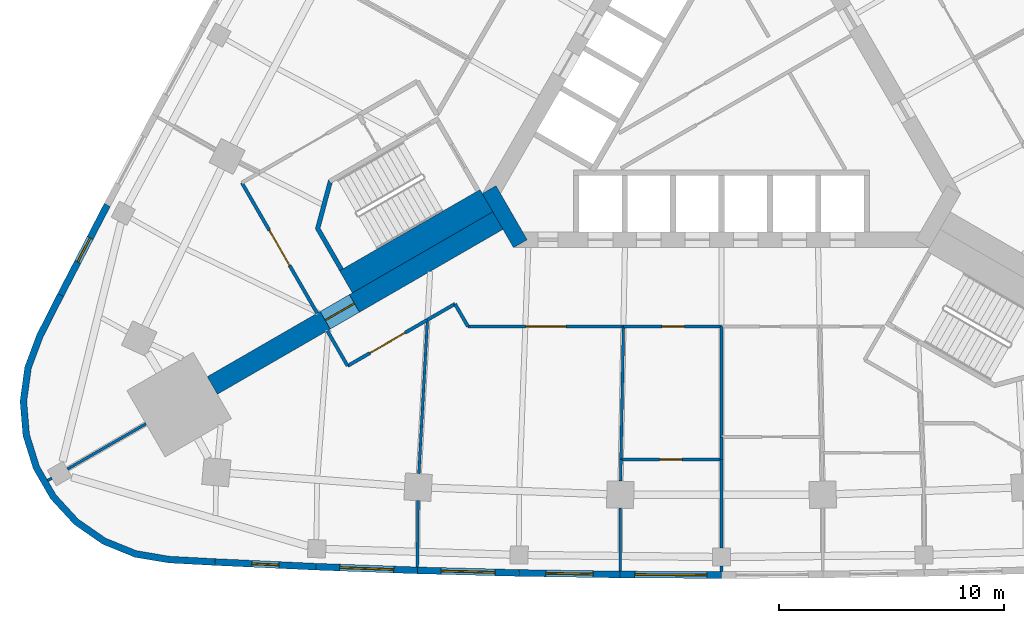
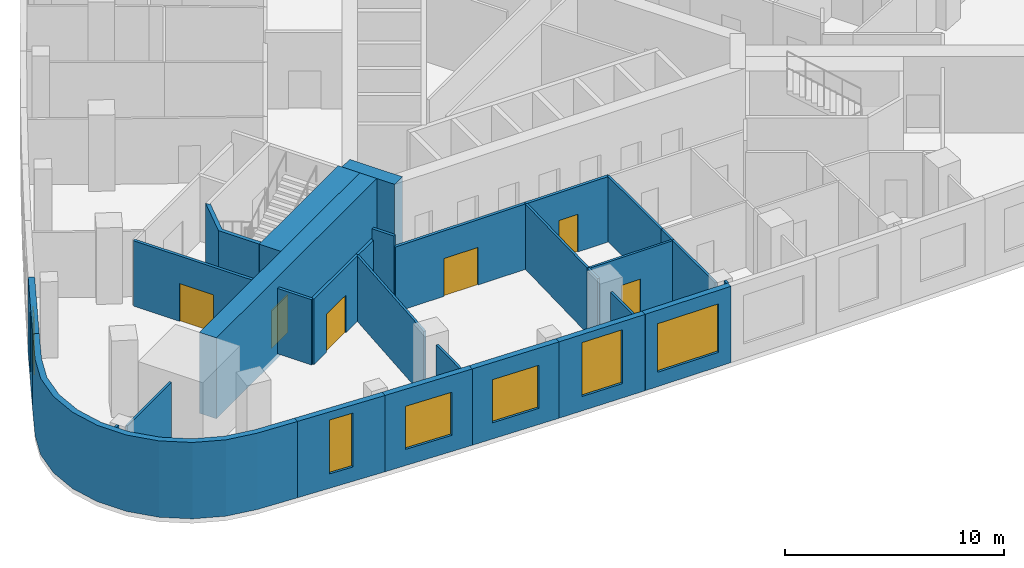
# One storey, part 4 of 11: 30 walls, 6 doors, 6 windows, 12 openings.
"""IFC4 building model written with IfcOpenShell, lengths in metres."""

import ifcopenshell
import ifcopenshell.guid

model = None  # the IFC model being written
_history = None  # IfcOwnerHistory: only IFC2X3 demands one
_inside = {}  # id of a spatial element -> (the spatial element, [elements in it])
_under = {}  # id of a project, library or spatial element -> (it, [spatial elements below it])
_declared = {}  # id of a project -> (the project, [libraries it declares])
_typed = {}  # id of a type object -> (the type object, [elements of that type])
_made_of = {}  # id of a material, layer set ... -> (it, [elements and type objects made of it])


def new_model(schema):
    """Start an empty IFC model of exactly this schema.

    Asked for "IFC4X3", IfcOpenShell would pick the latest addendum, in which some entities
    have other attributes; the version numbers below select the first issue.
    IFC2X3 requires an IfcOwnerHistory on every rooted entity: one is made here for all.
    """
    global model, _history
    if schema == "IFC4X3":
        model = ifcopenshell.file(schema_version=(4, 3, 0, 0))
    else:
        model = ifcopenshell.file(schema=schema)
    _inside.clear()
    _under.clear()
    _declared.clear()
    _typed.clear()
    _made_of.clear()
    _history = None
    if model.schema == "IFC2X3":
        org = make("IfcOrganization", Name="unknown")
        user = make(
            "IfcPersonAndOrganization",
            ThePerson=make("IfcPerson", FamilyName="unknown"),
            TheOrganization=org,
        )
        app = make(
            "IfcApplication",
            ApplicationDeveloper=org,
            Version="unknown",
            ApplicationFullName="unknown",
            ApplicationIdentifier="unknown",
        )
        _history = make(
            "IfcOwnerHistory",
            OwningUser=user,
            OwningApplication=app,
            ChangeAction="ADDED",
            CreationDate=0,
        )
    return model


def make(cls, **values):
    """One entity of the class cls with the attributes given. An attribute that is None is left unset."""
    return model.create_entity(
        cls, **{name: value for name, value in values.items() if value is not None}
    )


def rooted(cls, **values):
    """An entity with a GlobalId (a new one), such as an element, a storey or a relation."""
    return make(cls, GlobalId=ifcopenshell.guid.new(), OwnerHistory=_history, **values)


def si_unit(unit_type, name, prefix=None):
    """IfcSIUnit, for example si_unit("LENGTHUNIT", "METRE", prefix="MILLI")."""
    return make("IfcSIUnit", UnitType=unit_type, Prefix=prefix, Name=name)


def assignment(units):
    """IfcUnitAssignment: the units of a project."""
    return None if units is None else make("IfcUnitAssignment", Units=units)


def point(xyz):
    """IfcCartesianPoint."""
    return None if xyz is None else make("IfcCartesianPoint", Coordinates=xyz)


def direction(xyz):
    """IfcDirection."""
    return None if xyz is None else make("IfcDirection", DirectionRatios=xyz)


def frame(location, z_axis=None, x_axis=None):
    """IfcAxis2Placement3D, a coordinate frame: its origin and axes. An axis left out is left unset."""
    return make(
        "IfcAxis2Placement3D",
        Location=point(location),
        Axis=direction(z_axis),
        RefDirection=direction(x_axis),
    )


def frame_2d(location, x_axis=None):
    """IfcAxis2Placement2D, a coordinate frame in the plane: its origin and x axis."""
    return make(
        "IfcAxis2Placement2D", Location=point(location), RefDirection=direction(x_axis)
    )


def origin():
    """The frame at (0, 0, 0) with its axes left unset."""
    return frame((0.0, 0.0, 0.0))


def place(relative_to, where):
    """IfcLocalPlacement: puts the frame where relative to a parent placement (None: the world)."""
    return make(
        "IfcLocalPlacement", PlacementRelTo=relative_to, RelativePlacement=where
    )


def context(
    kind, dimensions, precision=None, world=None, true_north=None, identifier=None
):
    """IfcGeometricRepresentationContext, for example the 3D "Model" context."""
    return make(
        "IfcGeometricRepresentationContext",
        ContextIdentifier=identifier,
        ContextType=kind,
        CoordinateSpaceDimension=dimensions,
        Precision=precision,
        WorldCoordinateSystem=world,
        TrueNorth=true_north,
    )


def subcontext(parent, identifier, kind, view, scale=None):
    """IfcGeometricRepresentationSubContext, for example "Body" below "Model"."""
    return make(
        "IfcGeometricRepresentationSubContext",
        ContextIdentifier=identifier,
        ContextType=kind,
        ParentContext=parent,
        TargetScale=scale,
        TargetView=view,
    )


def project(units=None, contexts=None):
    """IfcProject with its units and contexts."""
    return rooted(
        "IfcProject",
        Name="project",
        RepresentationContexts=contexts,
        UnitsInContext=assignment(units),
    )


def spatial(cls, under=None, at=None, **own):
    """A site, building, storey or space (cls), placed at a placement, below another one or the project."""
    s = rooted(cls, ObjectPlacement=at, **own)
    if under is not None:
        _under.setdefault(under.id(), (under, []))[1].append(s)
    return s


def polyline(points):
    """IfcPolyline through the points."""
    return make("IfcPolyline", Points=[point(p) for p in points])


def profile(cls, at=None, kind="AREA", **sizes):
    """A parametric profile (cls). Its sizes go by their IFC names, for example OverallWidth=200.0."""
    return make(cls, ProfileType=kind, Position=at, **sizes)


def rectangle(**sizes):
    """IfcRectangleProfileDef."""
    return profile("IfcRectangleProfileDef", **sizes)


def outline(outer, holes=None, kind="AREA"):
    """IfcArbitraryClosedProfileDef: a profile drawn as a closed curve; with holes, ...WithVoids."""
    if holes is None:
        return make("IfcArbitraryClosedProfileDef", ProfileType=kind, OuterCurve=outer)
    return make(
        "IfcArbitraryProfileDefWithVoids",
        ProfileType=kind,
        OuterCurve=outer,
        InnerCurves=holes,
    )


def extrude(swept, where, along, depth):
    """IfcExtrudedAreaSolid: the profile swept, set in the frame where, extruded along a direction by depth."""
    return make(
        "IfcExtrudedAreaSolid",
        SweptArea=swept,
        Position=where,
        ExtrudedDirection=direction(along),
        Depth=depth,
    )


def shape(context_of_items, identifier, shape_type, items):
    """IfcShapeRepresentation: the items that make up one representation, for example the "Body"."""
    return make(
        "IfcShapeRepresentation",
        ContextOfItems=context_of_items,
        RepresentationIdentifier=identifier,
        RepresentationType=shape_type,
        Items=items,
    )


def material(Name=None, Category=None):
    """IfcMaterial."""
    return make("IfcMaterial", Name=Name, Category=Category)


def layer(
    of_material, thickness, ventilated=None, Name=None, Category=None, Priority=None
):
    """IfcMaterialLayer: one layer of a wall or slab, of a material (None: an air gap)."""
    return make(
        "IfcMaterialLayer",
        Material=of_material,
        LayerThickness=thickness,
        IsVentilated=ventilated,
        Name=Name,
        Category=Category,
        Priority=Priority,
    )


def layer_set(layers, Name=None):
    """IfcMaterialLayerSet."""
    return make("IfcMaterialLayerSet", MaterialLayers=layers, LayerSetName=Name)


def made_of(thing, what):
    """Note that an element or type object is made of a material, layer set ...; save() writes the relation."""
    if what is not None:
        _made_of.setdefault(what.id(), (what, []))[1].append(thing)
    return thing


def type_object(cls, material=None, **own):
    """A type object (cls), such as IfcWallType, which elements share."""
    return made_of(rooted(cls, **own), material)


def element(
    cls,
    number,
    at=None,
    inside=None,
    cuts=None,
    type_object=None,
    material=None,
    context=None,
    identifier="Body",
    shape_type=None,
    held_by="IfcProductDefinitionShape",
    body=None,
    shapes=None,
    **own,
):
    """One element of the class cls, such as IfcWall. Its Tag is "e" and its number.

    at: its placement. inside: the storey or other place that contains it. cuts: it is an
    opening in that element (IfcRelVoidsElement). A single representation is given by context,
    identifier, shape_type and body (its items); several are given by shapes. held_by: the class
    of the entity that holds the representations. save() writes the other relations.
    """
    e = rooted(cls, Tag="e%d" % number, ObjectPlacement=at, **own)
    if body is not None:
        shapes = [shape(context, identifier, shape_type, body)]
    if shapes is not None:
        e.Representation = make(held_by, Representations=shapes)
    if inside is not None:
        _inside.setdefault(inside.id(), (inside, []))[1].append(e)
    if cuts is not None:
        rooted(
            "IfcRelVoidsElement", RelatingBuildingElement=cuts, RelatedOpeningElement=e
        )
    if type_object is not None:
        _typed.setdefault(type_object.id(), (type_object, []))[1].append(e)
    return made_of(e, material)


def fill(opening, filler):
    """IfcRelFillsElement: the door or window that sits in an opening."""
    return rooted(
        "IfcRelFillsElement",
        RelatingOpeningElement=opening,
        RelatedBuildingElement=filler,
    )


def aggregate(whole, parts):
    """IfcRelAggregates: a whole, such as a stair, and the parts it consists of."""
    return rooted("IfcRelAggregates", RelatingObject=whole, RelatedObjects=parts)


def save(model, path):
    """Write the relations noted so far, then the file.

    IfcRelAggregates (storeys below a building ...), IfcRelContainedInSpatialStructure (elements
    in a storey), IfcRelDefinesByType, IfcRelAssociatesMaterial and IfcRelDeclares: one each for
    every whole, place, type object, material and project.
    """
    for whole, parts in _under.values():
        aggregate(whole, parts)
    for where, things in _inside.values():
        rooted(
            "IfcRelContainedInSpatialStructure",
            RelatedElements=things,
            RelatingStructure=where,
        )
    for kind, things in _typed.values():
        rooted("IfcRelDefinesByType", RelatedObjects=things, RelatingType=kind)
    for what, things in _made_of.values():
        rooted("IfcRelAssociatesMaterial", RelatedObjects=things, RelatingMaterial=what)
    for by, libraries in _declared.values():
        rooted("IfcRelDeclares", RelatingContext=by, RelatedDefinitions=libraries)
    model.write(path)


model = new_model("IFC4")

# Units and contexts
model_context = context("Model", 3, precision=1e-05, world=origin(), true_north=direction((0.0, 1.0)))
body_context = subcontext(model_context, "Body", "Model", "MODEL_VIEW")
ifc_project = project(units=[si_unit("LENGTHUNIT", "METRE"), si_unit("AREAUNIT", "SQUARE_METRE"), si_unit("VOLUMEUNIT", "CUBIC_METRE"), si_unit("PLANEANGLEUNIT", "RADIAN"), si_unit("MASSUNIT", "GRAM", prefix="KILO")], contexts=[model_context])

# Site, building, storey
site_placement = place(None, origin())
site = spatial("IfcSite", under=ifc_project, at=site_placement, CompositionType="ELEMENT")
building_placement = place(site_placement, origin())
building = spatial("IfcBuilding", under=site, at=building_placement, Name="Noor Cloister Tower", CompositionType="ELEMENT")
storey_placement = place(building_placement, frame((0.0, 0.0, 10.5)))
storey = spatial("IfcBuildingStorey", under=building, at=storey_placement, Name="L02", CompositionType="ELEMENT", Elevation=10.5)

# Wall, opening, door
ifc_material_1 = material(Name="Concrete C80/95", Category="concrete")
ifc_layer_1 = layer(ifc_material_1, 0.89990234375)
ifc_layer_set_1 = layer_set([ifc_layer_1], Name="Buttress wall 900 C80/95")
wall_type_1 = type_object("IfcWallType", Name="Buttress wall 900 C80/95", PredefinedType="SHEAR", material=ifc_layer_set_1)
wall_1_placement = place(storey_placement, frame((-9.921630859375, -5.728271484375, -0.25), z_axis=(0.0, 0.0, 1.0), x_axis=(-0.866028046028, -0.499995423472, 0.0)))
wall_1 = element("IfcWall", 1, at=wall_1_placement, inside=storey, type_object=wall_type_1, Name="Buttress wall SW L02", PredefinedType="SHEAR", context=body_context, shape_type="SweptSolid", body=[
    extrude(rectangle(XDim=14.632568359375, YDim=0.89990234375, at=frame_2d((7.31640625, 0.0))), origin(), (0.0, 0.0, 1.0), 4.5),
])
opening_1_placement = place(wall_1_placement, frame((7.35009765625, 0.0, 0.25)))
opening_1 = element("IfcOpeningElement", 2, at=opening_1_placement, cuts=wall_1, Name="Opening L02-036", PredefinedType="OPENING", context=body_context, shape_type="SweptSolid", body=[
    extrude(rectangle(XDim=1.5, YDim=2.10009765625, at=frame_2d((0.75, 1.050048828125))), frame((0.0, 0.4599609375, 0.0), z_axis=(0.0, -1.0, 0.0), x_axis=(1.0, 0.0, 0.0)), (0.0, 0.0, 1.0), 0.919921875),
])
ifc_material_2 = material(Name="Steel fire door", Category="steel")
door_type_1 = type_object("IfcDoorType", Name="Smoke barrier door FD60 1500", OperationType="DOUBLE_DOOR_SINGLE_SWING", PredefinedType="DOOR", material=ifc_material_2)
door_1_placement = place(opening_1_placement, origin())
door_1 = element("IfcDoor", 3, at=door_1_placement, inside=storey, type_object=door_type_1, Name="Door L02-036", OperationType="DOUBLE_DOOR_SINGLE_SWING", OverallHeight=2.10009765625, OverallWidth=1.5, PredefinedType="DOOR", context=body_context, shape_type="SweptSolid", body=[
    extrude(rectangle(XDim=1.5, YDim=2.10009765625, at=frame_2d((0.75, 1.050048828125))), frame((0.0, 0.02490234375, 0.0), z_axis=(0.0, -1.0, 0.0), x_axis=(1.0, 0.0, 0.0)), (0.0, 0.0, 1.0), 0.050048828125),
])
fill(opening_1, door_1)

# Wall
ifc_material_3 = material(Name="Concrete C80/95", Category="concrete")
ifc_layer_2 = layer(ifc_material_3, 0.699951171875)
ifc_layer_set_2 = layer_set([ifc_layer_2], Name="Core wall 700 C80/95")
wall_type_2 = type_object("IfcWallType", Name="Core wall 700 C80/95", PredefinedType="SHEAR", material=ifc_layer_set_2)
wall_2_placement = place(storey_placement, frame((-10.311279296875, -4.353271484375, -0.25), z_axis=(0.0, 0.0, 1.0), x_axis=(0.500042739161, -0.866000726912, 0.0)))
element("IfcWall", 4, at=wall_2_placement, inside=storey, type_object=wall_type_2, Name="Core wall L02 6", PredefinedType="SHEAR", context=body_context, shape_type="SweptSolid", body=[
    extrude(rectangle(XDim=2.771240234375, YDim=0.699951171875, at=frame_2d((1.3857421875, 0.0))), origin(), (0.0, 0.0, 1.0), 4.5),
])

# Wall, opening, door
ifc_material_4 = material(Name="Plasterboard on steel studs", Category="steel")
ifc_layer_3 = layer(ifc_material_4, 0.14990234375)
ifc_layer_set_3 = layer_set([ifc_layer_3], Name="Corridor wall 150")
wall_type_3 = type_object("IfcWallType", Name="Corridor wall 150", PredefinedType="PARTITIONING", material=ifc_layer_set_3)
wall_3_placement = place(storey_placement, frame((-4.346923828125, -10.427978515625, 0.0), z_axis=(0.0, 0.0, 1.0), x_axis=(-1.0, 0.0, 0.0)))
wall_3 = element("IfcWall", 5, at=wall_3_placement, inside=storey, type_object=wall_type_3, Name="Partition", PredefinedType="PARTITIONING", context=body_context, shape_type="SweptSolid", body=[
    extrude(rectangle(XDim=6.902099609375, YDim=0.14990234375, at=frame_2d((3.451171875, 0.0))), origin(), (0.0, 0.0, 1.0), 3.637939453125),
])
opening_2_placement = place(wall_3_placement, frame((2.550048828125, 0.0, 0.0)))
opening_2 = element("IfcOpeningElement", 6, at=opening_2_placement, cuts=wall_3, Name="Opening L02-007", PredefinedType="OPENING", context=body_context, shape_type="SweptSolid", body=[
    extrude(rectangle(XDim=1.800048828125, YDim=2.10009765625, at=frame_2d((0.89990234375, 1.050048828125))), frame((0.0, 0.0849609375, 0.0), z_axis=(0.0, -1.0, 0.0), x_axis=(1.0, 0.0, 0.0)), (0.0, 0.0, 1.0), 0.169921875),
])
ifc_material_5 = material(Name="Timber door leaf", Category="wood")
door_type_2 = type_object("IfcDoorType", Name="Double leaf door 1800", OperationType="DOUBLE_DOOR_SINGLE_SWING", PredefinedType="DOOR", material=ifc_material_5)
door_2_placement = place(opening_2_placement, origin())
door_2 = element("IfcDoor", 7, at=door_2_placement, inside=storey, type_object=door_type_2, Name="Door L02-007", OperationType="DOUBLE_DOOR_SINGLE_SWING", OverallHeight=2.10009765625, OverallWidth=1.800048828125, PredefinedType="DOOR", context=body_context, shape_type="SweptSolid", body=[
    extrude(rectangle(XDim=1.800048828125, YDim=2.10009765625, at=frame_2d((0.89990234375, 1.050048828125))), frame((0.0, 0.02490234375, 0.0), z_axis=(0.0, -1.0, 0.0), x_axis=(1.0, 0.0, 0.0)), (0.0, 0.0, 1.0), 0.050048828125),
])
fill(opening_2, door_2)

# Walls
wall_4_placement = place(storey_placement, frame((-11.2490234375, -10.427978515625, 0.0), z_axis=(0.0, 0.0, 1.0), x_axis=(-0.499978438088, 0.866037852202, 0.0)))
element("IfcWall", 8, at=wall_4_placement, inside=storey, type_object=wall_type_3, Name="Partition", PredefinedType="PARTITIONING", context=body_context, shape_type="SweptSolid", body=[
    extrude(rectangle(XDim=1.15576171875, YDim=0.14990234375, at=frame_2d((0.577880859375, 0.0))), origin(), (0.0, 0.0, 1.0), 4.25),
])
wall_5_placement = place(storey_placement, frame((-11.826904296875, -9.427001953125, 0.0), z_axis=(0.0, 0.0, 1.0), x_axis=(-0.865984561414, -0.500070734389, 0.0)))
element("IfcWall", 9, at=wall_5_placement, inside=storey, type_object=wall_type_3, Name="Partition", PredefinedType="PARTITIONING", context=body_context, shape_type="SweptSolid", body=[
    extrude(rectangle(XDim=1.415771484375, YDim=0.14990234375, at=frame_2d((0.7080078125, 0.0))), origin(), (0.0, 0.0, 1.0), 3.637939453125),
])

# Wall, opening, door
ifc_material_6 = material(Name="Plasterboard on steel studs", Category="steel")
ifc_layer_4 = layer(ifc_material_6, 0.14990234375)
ifc_layer_set_4 = layer_set([ifc_layer_4], Name="Corridor wall 150 EI 60")
wall_type_4 = type_object("IfcWallType", Name="Corridor wall 150 EI 60", PredefinedType="PARTITIONING", material=ifc_layer_set_4)
wall_6_placement = place(storey_placement, frame((-13.044921875, -10.1298828125, 0.0), z_axis=(0.0, 0.0, 1.0), x_axis=(-0.866035577775, -0.499982377718, 0.0)))
wall_6 = element("IfcWall", 10, at=wall_6_placement, inside=storey, type_object=wall_type_4, Name="Partition", PredefinedType="PARTITIONING", context=body_context, shape_type="SweptSolid", body=[
    extrude(rectangle(XDim=4.092529296875, YDim=0.14990234375, at=frame_2d((2.04638671875, 0.0))), origin(), (0.0, 0.0, 1.0), 3.637939453125),
])
opening_3_placement = place(wall_6_placement, frame((1.14990234375, 0.0, 0.0)))
opening_3 = element("IfcOpeningElement", 11, at=opening_3_placement, cuts=wall_6, Name="Opening L02-005", PredefinedType="OPENING", context=body_context, shape_type="SweptSolid", body=[
    extrude(rectangle(XDim=1.800048828125, YDim=2.10009765625, at=frame_2d((0.89990234375, 1.050048828125))), frame((0.0, 0.0849609375, 0.0), z_axis=(0.0, -1.0, 0.0), x_axis=(1.0, 0.0, 0.0)), (0.0, 0.0, 1.0), 0.169921875),
])
ifc_material_7 = material(Name="Timber door leaf", Category="wood")
door_type_3 = type_object("IfcDoorType", Name="Double leaf door 1800 FD60", OperationType="DOUBLE_DOOR_SINGLE_SWING", PredefinedType="DOOR", material=ifc_material_7)
door_3_placement = place(opening_3_placement, origin())
door_3 = element("IfcDoor", 12, at=door_3_placement, inside=storey, type_object=door_type_3, Name="Door L02-005", OperationType="DOUBLE_DOOR_SINGLE_SWING", OverallHeight=2.10009765625, OverallWidth=1.800048828125, PredefinedType="DOOR", context=body_context, shape_type="SweptSolid", body=[
    extrude(rectangle(XDim=1.800048828125, YDim=2.10009765625, at=frame_2d((0.89990234375, 1.050048828125))), frame((0.0, 0.02490234375, 0.0), z_axis=(0.0, -1.0, 0.0), x_axis=(1.0, 0.0, 0.0)), (0.0, 0.0, 1.0), 0.050048828125),
])
fill(opening_3, door_3)

# Wall
wall_7_placement = place(storey_placement, frame((-16.591064453125, -12.176025390625, 0.0), z_axis=(0.0, 0.0, 1.0), x_axis=(-0.499965372359, 0.866045395139, 0.0)))
element("IfcWall", 13, at=wall_7_placement, inside=storey, type_object=wall_type_4, Name="Partition", PredefinedType="PARTITIONING", context=body_context, shape_type="SweptSolid", body=[
    extrude(rectangle(XDim=1.798095703125, YDim=0.14990234375, at=frame_2d((0.89892578125, 0.0))), origin(), (0.0, 0.0, 1.0), 3.637939453125),
])

# Wall, opening, door
wall_8_placement = place(storey_placement, frame((0.00390625, -10.427978515625, 0.0), z_axis=(0.0, 0.0, 1.0), x_axis=(-1.0, 0.0, 0.0)))
wall_8 = element("IfcWall", 14, at=wall_8_placement, inside=storey, type_object=wall_type_4, Name="Partition", PredefinedType="PARTITIONING", context=body_context, shape_type="SweptSolid", body=[
    extrude(rectangle(XDim=4.35888671875, YDim=0.14990234375, at=frame_2d((2.179443359375, 0.0))), origin(), (0.0, 0.0, 1.0), 3.637939453125),
])
opening_4_placement = place(wall_8_placement, frame((1.64990234375, 0.0, 0.0)))
opening_4 = element("IfcOpeningElement", 15, at=opening_4_placement, cuts=wall_8, Name="Opening L02-008", PredefinedType="OPENING", context=body_context, shape_type="SweptSolid", body=[
    extrude(rectangle(XDim=1.0, YDim=2.10009765625, at=frame_2d((0.5, 1.050048828125))), frame((0.0, 0.0849609375, 0.0), z_axis=(0.0, -1.0, 0.0), x_axis=(1.0, 0.0, 0.0)), (0.0, 0.0, 1.0), 0.169921875),
])
ifc_material_8 = material(Name="Timber door leaf", Category="wood")
door_type_4 = type_object("IfcDoorType", Name="Clinic room door 1000 FD60", OperationType="SINGLE_SWING_LEFT", PredefinedType="DOOR", material=ifc_material_8)
door_4_placement = place(opening_4_placement, origin())
door_4 = element("IfcDoor", 16, at=door_4_placement, inside=storey, type_object=door_type_4, Name="Door L02-008", OperationType="SINGLE_SWING_LEFT", OverallHeight=2.10009765625, OverallWidth=1.0, PredefinedType="DOOR", context=body_context, shape_type="SweptSolid", body=[
    extrude(rectangle(XDim=1.0, YDim=2.10009765625, at=frame_2d((0.5, 1.050048828125))), frame((0.0, 0.02490234375, 0.0), z_axis=(0.0, -1.0, 0.0), x_axis=(1.0, 0.0, 0.0)), (0.0, 0.0, 1.0), 0.050048828125),
])
fill(opening_4, door_4)

wall_9_placement = place(storey_placement, frame((-17.94091796875, -9.837890625, 0.0), z_axis=(0.0, 0.0, 1.0), x_axis=(-0.500048140185, 0.865997608252, 0.0)))
wall_9 = element("IfcWall", 17, at=wall_9_placement, inside=storey, type_object=wall_type_4, Name="Partition", PredefinedType="PARTITIONING", context=body_context, shape_type="SweptSolid", body=[
    extrude(rectangle(XDim=6.683349609375, YDim=0.14990234375, at=frame_2d((3.341796875, 0.0))), origin(), (0.0, 0.0, 1.0), 3.637939453125),
])
opening_5_placement = place(wall_9_placement, frame((2.449951171875, 0.0, 0.0)))
opening_5 = element("IfcOpeningElement", 18, at=opening_5_placement, cuts=wall_9, Name="Opening L02-011", PredefinedType="OPENING", context=body_context, shape_type="SweptSolid", body=[
    extrude(rectangle(XDim=1.800048828125, YDim=2.10009765625, at=frame_2d((0.89990234375, 1.050048828125))), frame((0.0, 0.0849609375, 0.0), z_axis=(0.0, -1.0, 0.0), x_axis=(1.0, 0.0, 0.0)), (0.0, 0.0, 1.0), 0.169921875),
])
door_5_placement = place(opening_5_placement, origin())
door_5 = element("IfcDoor", 19, at=door_5_placement, inside=storey, type_object=door_type_3, Name="Door L02-011", OperationType="DOUBLE_DOOR_SINGLE_SWING", OverallHeight=2.10009765625, OverallWidth=1.800048828125, PredefinedType="DOOR", context=body_context, shape_type="SweptSolid", body=[
    extrude(rectangle(XDim=1.800048828125, YDim=2.10009765625, at=frame_2d((0.89990234375, 1.050048828125))), frame((0.0, 0.02490234375, 0.0), z_axis=(0.0, -1.0, 0.0), x_axis=(1.0, 0.0, 0.0)), (0.0, 0.0, 1.0), 0.050048828125),
])
fill(opening_5, door_5)

# Wall
ifc_material_9 = material(Name="Limestone", Category="masonry")
ifc_layer_5 = layer(ifc_material_9, 0.300048828125)
ifc_layer_set_5 = layer_set([ifc_layer_5], Name="Limestone cladding 300")
wall_type_5 = type_object("IfcWallType", Name="Limestone cladding 300", PredefinedType="NOTDEFINED", material=ifc_layer_set_5)
wall_10_placement = place(storey_placement, origin())
element("IfcWall", 20, at=wall_10_placement, inside=storey, type_object=wall_type_5, Name="Limestone pier cladding L02 1.1", PredefinedType="NOTDEFINED", context=body_context, shape_type="SweptSolid", body=[
    extrude(outline(polyline([(-29.457275390625, -8.962158203125), (-30.378662109375, -10.7763671875), (-30.917236328125, -12.2177734375), (-31.127685546875, -13.7421875), (-31.0, -15.275634765625), (-30.540283203125, -16.744140625), (-29.77099609375, -18.07666015625), (-28.72900390625, -19.208984375), (-27.46484375, -20.086181640625), (-26.03955078125, -20.666259765625), (-24.52197265625, -20.920654296875), (-22.490234375, -21.02978515625), (-22.47412109375, -20.730224609375), (-24.489013671875, -20.621826171875), (-25.95703125, -20.375732421875), (-27.321044921875, -19.82080078125), (-28.53076171875, -18.9814453125), (-29.52783203125, -17.89794921875), (-30.263916015625, -16.622802734375), (-30.70361328125, -15.217529296875), (-30.825927734375, -13.750244140625), (-30.62451171875, -12.291748046875), (-30.103515625, -10.89697265625), (-29.18994140625, -9.097900390625), (-29.457275390625, -8.962158203125)])), origin(), (0.0, 0.0, 1.0), 4.25),
])

# Wall, opening, window
ifc_material_10 = material(Name="Limestone", Category="masonry")
ifc_layer_6 = layer(ifc_material_10, 0.300048828125)
ifc_layer_set_6 = layer_set([ifc_layer_6], Name="Limestone panel wall 300")
wall_type_6 = type_object("IfcWallType", Name="Limestone panel wall 300", PredefinedType="NOTDEFINED", material=ifc_layer_set_6)
wall_11_placement = place(storey_placement, frame((-29.3232421875, -9.029296875, 0.0), z_axis=(0.0, 0.0, 1.0), x_axis=(0.459443600121, 0.888206945654, 0.0)))
wall_11 = element("IfcWall", 21, at=wall_11_placement, inside=storey, type_object=wall_type_6, Name="Limestone wall L02 NW 10", PredefinedType="NOTDEFINED", context=body_context, shape_type="SweptSolid", body=[
    extrude(rectangle(XDim=4.49609375, YDim=0.300048828125, at=frame_2d((2.248046875, 0.0))), origin(), (0.0, 0.0, 1.0), 4.25),
])
opening_6_placement = place(wall_11_placement, frame((1.64794921875, 0.0, 0.800048828125)))
opening_6 = element("IfcOpeningElement", 22, at=opening_6_placement, cuts=wall_11, Name="Opening L02-W10", PredefinedType="OPENING", context=body_context, shape_type="SweptSolid", body=[
    extrude(rectangle(XDim=1.199951171875, YDim=3.0, at=frame_2d((0.60009765625, 1.5))), frame((0.0, 0.16015625, 0.0), z_axis=(0.0, -1.0, 0.0), x_axis=(1.0, 0.0, 0.0)), (0.0, 0.0, 1.0), 0.320068359375),
])
ifc_material_11 = material(Name="Aluminium 6063-T6 anodised", Category="aluminium")
window_type_1 = type_object("IfcWindowType", Name="Lancet window 1200 x 3000", PartitioningType="SINGLE_PANEL", PredefinedType="WINDOW", material=ifc_material_11)
window_1_placement = place(opening_6_placement, origin())
window_1 = element("IfcWindow", 23, at=window_1_placement, inside=storey, type_object=window_type_1, Name="Window L02 10", OverallHeight=3.0, OverallWidth=1.199951171875, PartitioningType="SINGLE_PANEL", PredefinedType="WINDOW", context=body_context, shape_type="SweptSolid", body=[
    extrude(rectangle(XDim=1.199951171875, YDim=3.0, at=frame_2d((0.60009765625, 1.5))), frame((0.0, 0.030029296875, 0.0), z_axis=(0.0, -1.0, 0.0), x_axis=(1.0, 0.0, 0.0)), (0.0, 0.0, 1.0), 0.06005859375),
])
fill(opening_6, window_1)

wall_12_placement = place(storey_placement, frame((-17.989990234375, -21.087646484375, 0.0), z_axis=(0.0, 0.0, 1.0), x_axis=(-0.998931717866, 0.046210637742, 0.0)))
wall_12 = element("IfcWall", 24, at=wall_12_placement, inside=storey, type_object=wall_type_6, Name="Limestone wall L02 S 1", PredefinedType="NOTDEFINED", context=body_context, shape_type="SweptSolid", body=[
    extrude(rectangle(XDim=4.49609375, YDim=0.300048828125, at=frame_2d((2.248046875, 0.0))), origin(), (0.0, 0.0, 1.0), 4.25),
])
opening_7_placement = place(wall_12_placement, frame((1.64794921875, 0.0, 0.800048828125)))
opening_7 = element("IfcOpeningElement", 25, at=opening_7_placement, cuts=wall_12, Name="Opening L02-W11", PredefinedType="OPENING", context=body_context, shape_type="SweptSolid", body=[
    extrude(rectangle(XDim=1.199951171875, YDim=3.0, at=frame_2d((0.60009765625, 1.5))), frame((0.0, 0.16015625, 0.0), z_axis=(0.0, -1.0, 0.0), x_axis=(1.0, 0.0, 0.0)), (0.0, 0.0, 1.0), 0.320068359375),
])
window_2_placement = place(opening_7_placement, origin())
window_2 = element("IfcWindow", 26, at=window_2_placement, inside=storey, type_object=window_type_1, Name="Window L02 11", OverallHeight=3.0, OverallWidth=1.199951171875, PartitioningType="SINGLE_PANEL", PredefinedType="WINDOW", context=body_context, shape_type="SweptSolid", body=[
    extrude(rectangle(XDim=1.199951171875, YDim=3.0, at=frame_2d((0.60009765625, 1.5))), frame((0.0, 0.030029296875, 0.0), z_axis=(0.0, -1.0, 0.0), x_axis=(1.0, 0.0, 0.0)), (0.0, 0.0, 1.0), 0.06005859375),
])
fill(opening_7, window_2)

wall_13_placement = place(storey_placement, frame((-13.494384765625, -21.249267578125, 0.0), z_axis=(0.0, 0.0, 1.0), x_axis=(-0.999355640029, 0.035892962294, 0.0)))
wall_13 = element("IfcWall", 27, at=wall_13_placement, inside=storey, type_object=wall_type_6, Name="Limestone wall L02 S 2", PredefinedType="NOTDEFINED", context=body_context, shape_type="SweptSolid", body=[
    extrude(rectangle(XDim=4.49609375, YDim=0.300048828125, at=frame_2d((2.248046875, 0.0))), origin(), (0.0, 0.0, 1.0), 4.25),
])
opening_8_placement = place(wall_13_placement, frame((1.048095703125, 0.0, 0.89990234375)))
opening_8 = element("IfcOpeningElement", 28, at=opening_8_placement, cuts=wall_13, Name="Opening L02-W12", PredefinedType="OPENING", context=body_context, shape_type="SweptSolid", body=[
    extrude(rectangle(XDim=2.39990234375, YDim=2.39990234375, at=frame_2d((1.199951171875, 1.199951171875))), frame((0.0, 0.16015625, 0.0), z_axis=(0.0, -1.0, 0.0), x_axis=(1.0, 0.0, 0.0)), (0.0, 0.0, 1.0), 0.320068359375),
])
ifc_material_12 = material(Name="Aluminium 6063-T6 anodised", Category="aluminium")
window_type_2 = type_object("IfcWindowType", Name="Clinic window 2400 x 2400", PartitioningType="DOUBLE_PANEL_VERTICAL", PredefinedType="WINDOW", material=ifc_material_12)
window_3_placement = place(opening_8_placement, origin())
window_3 = element("IfcWindow", 29, at=window_3_placement, inside=storey, type_object=window_type_2, Name="Window L02 12", OverallHeight=2.39990234375, OverallWidth=2.39990234375, PartitioningType="DOUBLE_PANEL_VERTICAL", PredefinedType="WINDOW", context=body_context, shape_type="SweptSolid", body=[
    extrude(rectangle(XDim=2.39990234375, YDim=2.39990234375, at=frame_2d((1.199951171875, 1.199951171875))), frame((0.0, 0.030029296875, 0.0), z_axis=(0.0, -1.0, 0.0), x_axis=(1.0, 0.0, 0.0)), (0.0, 0.0, 1.0), 0.06005859375),
])
fill(opening_8, window_3)

wall_14_placement = place(storey_placement, frame((-8.99755859375, -21.36474609375, 0.0), z_axis=(0.0, 0.0, 1.0), x_axis=(-0.999671466587, 0.025631209312, 0.0)))
wall_14 = element("IfcWall", 30, at=wall_14_placement, inside=storey, type_object=wall_type_6, Name="Limestone wall L02 S 3", PredefinedType="NOTDEFINED", context=body_context, shape_type="SweptSolid", body=[
    extrude(rectangle(XDim=4.495849609375, YDim=0.300048828125, at=frame_2d((2.248046875, 0.0))), origin(), (0.0, 0.0, 1.0), 4.25),
])
opening_9_placement = place(wall_14_placement, frame((1.048095703125, 0.0, 0.89990234375)))
opening_9 = element("IfcOpeningElement", 31, at=opening_9_placement, cuts=wall_14, Name="Opening L02-W13", PredefinedType="OPENING", context=body_context, shape_type="SweptSolid", body=[
    extrude(rectangle(XDim=2.39990234375, YDim=2.39990234375, at=frame_2d((1.199951171875, 1.199951171875))), frame((0.0, 0.16015625, 0.0), z_axis=(0.0, -1.0, 0.0), x_axis=(1.0, 0.0, 0.0)), (0.0, 0.0, 1.0), 0.320068359375),
])
window_4_placement = place(opening_9_placement, origin())
window_4 = element("IfcWindow", 32, at=window_4_placement, inside=storey, type_object=window_type_2, Name="Window L02 13", OverallHeight=2.39990234375, OverallWidth=2.39990234375, PartitioningType="DOUBLE_PANEL_VERTICAL", PredefinedType="WINDOW", context=body_context, shape_type="SweptSolid", body=[
    extrude(rectangle(XDim=2.39990234375, YDim=2.39990234375, at=frame_2d((1.199951171875, 1.199951171875))), frame((0.0, 0.030029296875, 0.0), z_axis=(0.0, -1.0, 0.0), x_axis=(1.0, 0.0, 0.0)), (0.0, 0.0, 1.0), 0.06005859375),
])
fill(opening_9, window_4)

wall_15_placement = place(storey_placement, frame((-4.49951171875, -21.43408203125, 0.0), z_axis=(0.0, 0.0, 1.0), x_axis=(-0.999881921814, 0.015366926462, 0.0)))
wall_15 = element("IfcWall", 33, at=wall_15_placement, inside=storey, type_object=wall_type_6, Name="Limestone wall L02 S 4", PredefinedType="NOTDEFINED", context=body_context, shape_type="SweptSolid", body=[
    extrude(rectangle(XDim=4.49609375, YDim=0.300048828125, at=frame_2d((2.248046875, 0.0))), origin(), (0.0, 0.0, 1.0), 4.25),
])
opening_10_placement = place(wall_15_placement, frame((1.197998046875, 0.0, 0.800048828125)))
opening_10 = element("IfcOpeningElement", 34, at=opening_10_placement, cuts=wall_15, Name="Opening L02-W14", PredefinedType="OPENING", context=body_context, shape_type="SweptSolid", body=[
    extrude(rectangle(XDim=2.10009765625, YDim=3.0, at=frame_2d((1.050048828125, 1.5))), frame((0.0, 0.16015625, 0.0), z_axis=(0.0, -1.0, 0.0), x_axis=(1.0, 0.0, 0.0)), (0.0, 0.0, 1.0), 0.320068359375),
])
ifc_material_13 = material(Name="Aluminium 6063-T6 anodised", Category="aluminium")
window_type_3 = type_object("IfcWindowType", Name="Therapy window 2100 x 3000", PartitioningType="DOUBLE_PANEL_HORIZONTAL", PredefinedType="WINDOW", material=ifc_material_13)
window_5_placement = place(opening_10_placement, origin())
window_5 = element("IfcWindow", 35, at=window_5_placement, inside=storey, type_object=window_type_3, Name="Window L02 14", OverallHeight=3.0, OverallWidth=2.10009765625, PartitioningType="DOUBLE_PANEL_HORIZONTAL", PredefinedType="WINDOW", context=body_context, shape_type="SweptSolid", body=[
    extrude(rectangle(XDim=2.10009765625, YDim=3.0, at=frame_2d((1.050048828125, 1.5))), frame((0.0, 0.030029296875, 0.0), z_axis=(0.0, -1.0, 0.0), x_axis=(1.0, 0.0, 0.0)), (0.0, 0.0, 1.0), 0.06005859375),
])
fill(opening_10, window_5)

wall_16_placement = place(storey_placement, frame((-0.001220703125, -21.457275390625, 0.0), z_axis=(0.0, 0.0, 1.0), x_axis=(-0.999986693461, 0.005158769258, 0.0)))
wall_16 = element("IfcWall", 36, at=wall_16_placement, inside=storey, type_object=wall_type_6, Name="Limestone wall L02 S 5", PredefinedType="NOTDEFINED", context=body_context, shape_type="SweptSolid", body=[
    extrude(rectangle(XDim=4.495849609375, YDim=0.300048828125, at=frame_2d((2.248046875, 0.0))), origin(), (0.0, 0.0, 1.0), 4.25),
])
opening_11_placement = place(wall_16_placement, frame((0.64794921875, 0.0, 0.800048828125)))
opening_11 = element("IfcOpeningElement", 37, at=opening_11_placement, cuts=wall_16, Name="Opening L02-W15", PredefinedType="OPENING", context=body_context, shape_type="SweptSolid", body=[
    extrude(rectangle(XDim=3.199951171875, YDim=2.699951171875, at=frame_2d((1.60009765625, 1.35009765625))), frame((0.0, 0.16015625, 0.0), z_axis=(0.0, -1.0, 0.0), x_axis=(1.0, 0.0, 0.0)), (0.0, 0.0, 1.0), 0.320068359375),
])
ifc_material_14 = material(Name="Aluminium 6063-T6 anodised", Category="aluminium")
window_type_4 = type_object("IfcWindowType", Name="Waiting room window 3200 x 2700", PartitioningType="TRIPLE_PANEL_VERTICAL", PredefinedType="WINDOW", material=ifc_material_14)
window_6_placement = place(opening_11_placement, origin())
window_6 = element("IfcWindow", 38, at=window_6_placement, inside=storey, type_object=window_type_4, Name="Window L02 15", OverallHeight=2.699951171875, OverallWidth=3.199951171875, PartitioningType="TRIPLE_PANEL_VERTICAL", PredefinedType="WINDOW", context=body_context, shape_type="SweptSolid", body=[
    extrude(rectangle(XDim=3.199951171875, YDim=2.699951171875, at=frame_2d((1.60009765625, 1.35009765625))), frame((0.0, 0.030029296875, 0.0), z_axis=(0.0, -1.0, 0.0), x_axis=(1.0, 0.0, 0.0)), (0.0, 0.0, 1.0), 0.06005859375),
])
fill(opening_11, window_6)

# Walls
ifc_material_15 = material(Name="Plasterboard on steel studs", Category="steel")
ifc_layer_7 = layer(ifc_material_15, 0.1201171875)
ifc_layer_set_7 = layer_set([ifc_layer_7], Name="Partition wall 120 EI 60")
wall_type_7 = type_object("IfcWallType", Name="Partition wall 120 EI 60", PredefinedType="PARTITIONING", material=ifc_layer_set_7)
wall_17_placement = place(storey_placement, frame((0.0, -21.306884765625, 0.0), z_axis=(0.0, 0.0, 1.0), x_axis=(0.0, 1.0, 0.0)))
element("IfcWall", 39, at=wall_17_placement, inside=storey, type_object=wall_type_7, Name="Partition", PredefinedType="PARTITIONING", context=body_context, shape_type="SweptSolid", body=[
    extrude(rectangle(XDim=0.25, YDim=0.1201171875, at=frame_2d((0.125, 0.0))), origin(), (0.0, 0.0, 1.0), 4.25),
])
wall_18_placement = place(storey_placement, frame((0.0, -20.257080078125, 0.0), z_axis=(0.0, 0.0, 1.0), x_axis=(0.0, 1.0, 0.0)))
element("IfcWall", 40, at=wall_18_placement, inside=storey, type_object=wall_type_7, Name="Partition", PredefinedType="PARTITIONING", context=body_context, shape_type="SweptSolid", body=[
    extrude(rectangle(XDim=3.93310546875, YDim=0.1201171875, at=frame_2d((1.966552734375, 0.0))), origin(), (0.0, 0.0, 1.0), 3.637939453125),
])
wall_19_placement = place(storey_placement, frame((-4.490966796875, -18.491943359375, 0.0), z_axis=(0.0, 0.0, 1.0), x_axis=(-0.00288561233, -0.999995836612, 0.0)))
element("IfcWall", 41, at=wall_19_placement, inside=storey, type_object=wall_type_7, Name="Partition", PredefinedType="PARTITIONING", context=body_context, shape_type="SweptSolid", body=[
    extrude(rectangle(XDim=2.7919921875, YDim=0.1201171875, at=frame_2d((1.39599609375, 0.0))), origin(), (0.0, 0.0, 1.0), 3.633056640625),
])
wall_20_placement = place(storey_placement, frame((-4.4599609375, -16.323974609375, 0.0), z_axis=(0.0, 0.0, 1.0), x_axis=(-0.018678891577, -0.999825534286, 0.0)))
element("IfcWall", 42, at=wall_20_placement, inside=storey, type_object=wall_type_7, Name="Partition", PredefinedType="PARTITIONING", context=body_context, shape_type="SweptSolid", body=[
    extrude(rectangle(XDim=0.96728515625, YDim=0.1201171875, at=frame_2d((0.483642578125, 0.0))), origin(), (0.0, 0.0, 1.0), 3.637939453125),
])

# Wall, opening, door
wall_21_placement = place(storey_placement, frame((0.0, -16.327880859375, 0.0), z_axis=(0.0, 0.0, 1.0), x_axis=(-1.0, 0.0, 0.0)))
wall_21 = element("IfcWall", 43, at=wall_21_placement, inside=storey, type_object=wall_type_7, Name="Partition", PredefinedType="PARTITIONING", context=body_context, shape_type="SweptSolid", body=[
    extrude(rectangle(XDim=4.4609375, YDim=0.1201171875, at=frame_2d((2.23046875, 0.0))), origin(), (0.0, 0.0, 1.0), 3.637939453125),
])
opening_12_placement = place(wall_21_placement, frame((1.75, 0.0, 0.0)))
opening_12 = element("IfcOpeningElement", 44, at=opening_12_placement, cuts=wall_21, Name="Opening L02-001", PredefinedType="OPENING", context=body_context, shape_type="SweptSolid", body=[
    extrude(rectangle(XDim=1.0, YDim=2.10009765625, at=frame_2d((0.5, 1.050048828125))), frame((0.0, 0.070068359375, 0.0), z_axis=(0.0, -1.0, 0.0), x_axis=(1.0, 0.0, 0.0)), (0.0, 0.0, 1.0), 0.14013671875),
])
door_6_placement = place(opening_12_placement, origin())
door_6 = element("IfcDoor", 45, at=door_6_placement, inside=storey, type_object=door_type_4, Name="Door L02-001", OperationType="SINGLE_SWING_RIGHT", OverallHeight=2.10009765625, OverallWidth=1.0, PredefinedType="DOOR", context=body_context, shape_type="SweptSolid", body=[
    extrude(rectangle(XDim=1.0, YDim=2.10009765625, at=frame_2d((0.5, 1.050048828125))), frame((0.0, 0.02490234375, 0.0), z_axis=(0.0, -1.0, 0.0), x_axis=(1.0, 0.0, 0.0)), (0.0, 0.0, 1.0), 0.050048828125),
])
fill(opening_12, door_6)

# Walls
wall_22_placement = place(storey_placement, frame((0.0, -15.323974609375, 0.0), z_axis=(0.0, 0.0, 1.0), x_axis=(0.0, -1.0, 0.0)))
element("IfcWall", 46, at=wall_22_placement, inside=storey, type_object=wall_type_7, Name="Partition", PredefinedType="PARTITIONING", context=body_context, shape_type="SweptSolid", body=[
    extrude(rectangle(XDim=1.00390625, YDim=0.1201171875, at=frame_2d((0.501953125, 0.0))), origin(), (0.0, 0.0, 1.0), 3.637939453125),
])
wall_23_placement = place(storey_placement, frame((-13.4951171875, -21.09912109375, 0.0), z_axis=(0.0, 0.0, 1.0), x_axis=(0.009216581037, 0.999957526415, 0.0)))
element("IfcWall", 47, at=wall_23_placement, inside=storey, type_object=wall_type_7, Name="Partition", PredefinedType="PARTITIONING", context=body_context, shape_type="SweptSolid", body=[
    extrude(rectangle(XDim=2.9404296875, YDim=0.1201171875, at=frame_2d((1.47021484375, 0.0))), origin(), (0.0, 0.0, 1.0), 3.633056640625),
])
wall_24_placement = place(storey_placement, frame((-13.428955078125, -16.9599609375, 0.0), z_axis=(0.0, 0.0, 1.0), x_axis=(0.055551088657, 0.998455846069, 0.0)))
element("IfcWall", 48, at=wall_24_placement, inside=storey, type_object=wall_type_7, Name="Partition", PredefinedType="PARTITIONING", context=body_context, shape_type="SweptSolid", body=[
    extrude(rectangle(XDim=6.83837890625, YDim=0.1201171875, at=frame_2d((3.419189453125, 0.0))), origin(), (0.0, 0.0, 1.0), 3.637939453125),
])
wall_25_placement = place(storey_placement, frame((-29.716064453125, -17.156982421875, 0.0), z_axis=(0.0, 0.0, 1.0), x_axis=(-0.865774595023, -0.500434162116, 0.0)))
element("IfcWall", 49, at=wall_25_placement, inside=storey, type_object=wall_type_7, Name="Partition", PredefinedType="PARTITIONING", context=body_context, shape_type="SweptSolid", body=[
    extrude(rectangle(XDim=0.207763671875, YDim=0.1201171875, at=frame_2d((0.10400390625, 0.0))), origin(), (0.0, 0.0, 1.0), 4.25),
])
wall_26_placement = place(storey_placement, frame((-25.5380859375, -14.7451171875, 0.0), z_axis=(0.0, 0.0, 1.0), x_axis=(-0.866027971625, -0.499995552344, 0.0)))
element("IfcWall", 50, at=wall_26_placement, inside=storey, type_object=wall_type_7, Name="Partition", PredefinedType="PARTITIONING", context=body_context, shape_type="SweptSolid", body=[
    extrude(rectangle(XDim=4.02392578125, YDim=0.1201171875, at=frame_2d((2.011962890625, 0.0))), origin(), (0.0, 0.0, 1.0), 3.717041015625),
])
wall_27_placement = place(storey_placement, frame((-4.4609375, -16.326904296875, 0.0), z_axis=(0.0, 0.0, 1.0), x_axis=(0.018624139004, 0.999826555682, 0.0)))
element("IfcWall", 51, at=wall_27_placement, inside=storey, type_object=wall_type_7, Name="Partition", PredefinedType="PARTITIONING", context=body_context, shape_type="SweptSolid", body=[
    extrude(rectangle(XDim=5.89892578125, YDim=0.1201171875, at=frame_2d((2.949462890625, 0.0))), origin(), (0.0, 0.0, 1.0), 3.637939453125),
])
wall_28_placement = place(storey_placement, frame((0.0, -15.327880859375, 0.0), z_axis=(0.0, 0.0, 1.0), x_axis=(0.0, 1.0, 0.0)))
element("IfcWall", 52, at=wall_28_placement, inside=storey, type_object=wall_type_7, Name="Partition", PredefinedType="PARTITIONING", context=body_context, shape_type="SweptSolid", body=[
    extrude(rectangle(XDim=4.89990234375, YDim=0.1201171875, at=frame_2d((2.449951171875, 0.0))), origin(), (0.0, 0.0, 1.0), 3.637939453125),
])
ifc_material_16 = material(Name="Concrete C80/95", Category="concrete")
ifc_layer_8 = layer(ifc_material_16, 1.135986328125)
ifc_layer_set_8 = layer_set([ifc_layer_8], Name="Stair enclosure wall 1136 C80/95")
wall_type_8 = type_object("IfcWallType", Name="Stair enclosure wall 1136 C80/95", PredefinedType="SHEAR", material=ifc_layer_set_8)
wall_29_placement = place(storey_placement, frame((-10.430419921875, -4.8466796875, -0.25), z_axis=(0.0, 0.0, 1.0), x_axis=(-0.866018442252, -0.500012057535, 0.0)))
element("IfcWall", 53, at=wall_29_placement, inside=storey, type_object=wall_type_8, Name="Stair enclosure wall ST2 L02 riser side", PredefinedType="SHEAR", context=body_context, shape_type="SweptSolid", body=[
    extrude(rectangle(XDim=7.199951171875, YDim=1.1357421875, at=frame_2d((3.60009765625, 0.0))), origin(), (0.0, 0.0, 1.0), 4.5),
])
ifc_material_17 = material(Name="Concrete C80/95", Category="concrete")
wall_type_9 = type_object("IfcWallType", Name="Stair far end wall C80/95", PredefinedType="SHEAR", material=ifc_material_17)
wall_30_placement = place(storey_placement, frame((0.0, 0.0, -0.25)))
element("IfcWall", 54, at=wall_30_placement, inside=storey, type_object=wall_type_9, Name="Stair enclosure wall ST2 L02 far end", PredefinedType="SHEAR", context=body_context, shape_type="SweptSolid", body=[
    extrude(outline(polyline([(-17.439208984375, -3.907470703125), (-18.024658203125, -6.093017578125), (-16.94970703125, -7.955078125), (-16.776611328125, -7.85498046875), (-17.81005859375, -6.064697265625), (-17.267333984375, -4.039306640625), (-17.339111328125, -4.08056640625), (-17.339111328125, -4.08056640625), (-17.339111328125, -4.08056640625), (-17.339111328125, -4.08056640625), (-17.339111328125, -4.08056640625), (-17.339111328125, -4.08056640625), (-17.339111328125, -4.08056640625), (-17.339111328125, -4.08056640625), (-17.339111328125, -4.08056640625), (-17.339111328125, -4.08056640625), (-17.339111328125, -4.08056640625), (-17.339111328125, -4.08056640625), (-17.339111328125, -4.08056640625), (-17.339111328125, -4.08056640625), (-17.339111328125, -4.08056640625), (-17.339111328125, -4.08056640625), (-17.339111328125, -4.08056640625), (-17.439208984375, -3.907470703125)])), origin(), (0.0, 0.0, 1.0), 4.5),
])

save(model, "model.ifc")
